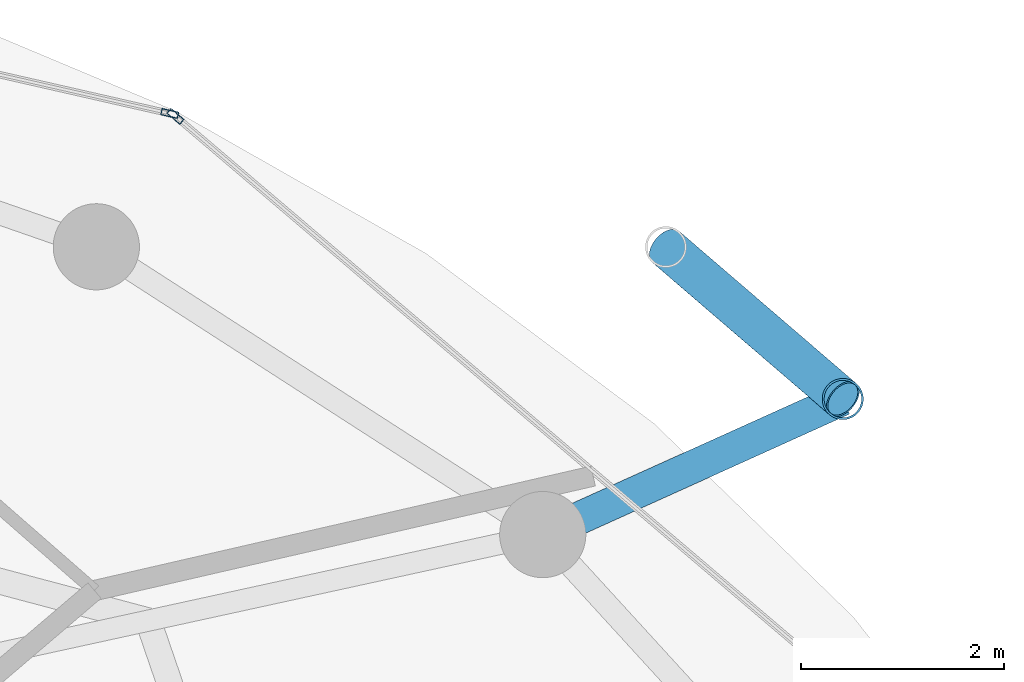
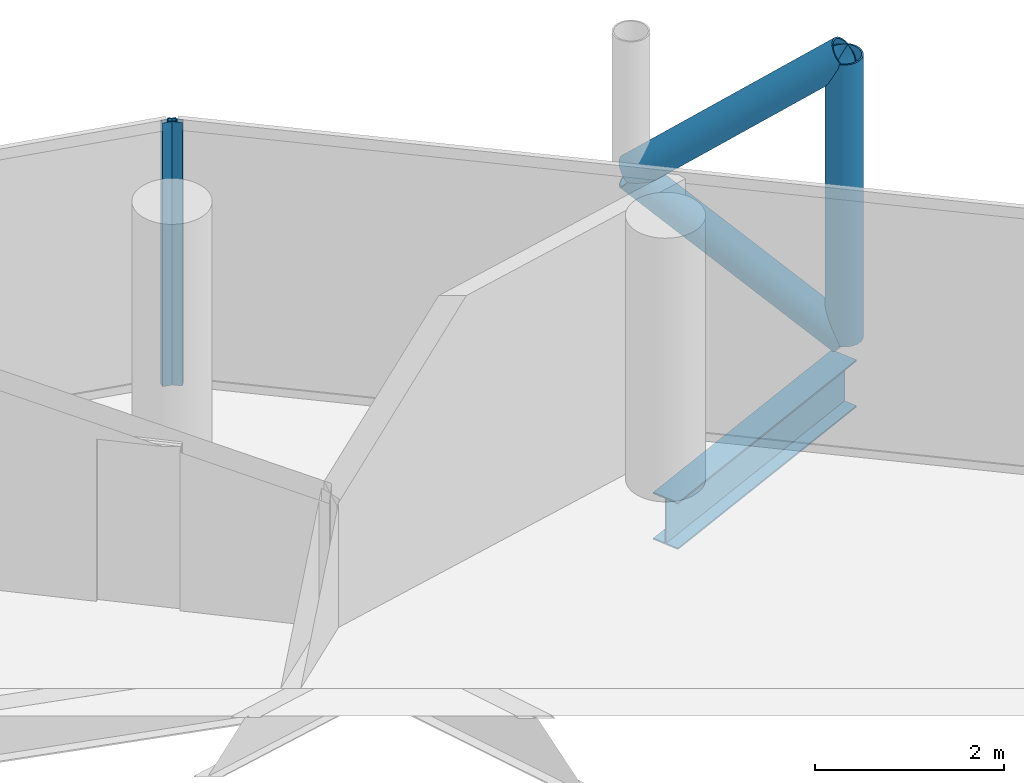
# One storey, part 21 of 27: 5 members, 1 beam, 2 elements without a shape of their own.
"""IFC4 building model written with IfcOpenShell, lengths in metres."""

import ifcopenshell
import ifcopenshell.guid

model = None  # the IFC model being written
_history = None  # IfcOwnerHistory: only IFC2X3 demands one
_inside = {}  # id of a spatial element -> (the spatial element, [elements in it])
_under = {}  # id of a project, library or spatial element -> (it, [spatial elements below it])
_declared = {}  # id of a project -> (the project, [libraries it declares])
_typed = {}  # id of a type object -> (the type object, [elements of that type])
_made_of = {}  # id of a material, layer set ... -> (it, [elements and type objects made of it])


def new_model(schema):
    """Start an empty IFC model of exactly this schema.

    Asked for "IFC4X3", IfcOpenShell would pick the latest addendum, in which some entities
    have other attributes; the version numbers below select the first issue.
    IFC2X3 requires an IfcOwnerHistory on every rooted entity: one is made here for all.
    """
    global model, _history
    if schema == "IFC4X3":
        model = ifcopenshell.file(schema_version=(4, 3, 0, 0))
    else:
        model = ifcopenshell.file(schema=schema)
    _inside.clear()
    _under.clear()
    _declared.clear()
    _typed.clear()
    _made_of.clear()
    _history = None
    if model.schema == "IFC2X3":
        org = make("IfcOrganization", Name="unknown")
        user = make(
            "IfcPersonAndOrganization",
            ThePerson=make("IfcPerson", FamilyName="unknown"),
            TheOrganization=org,
        )
        app = make(
            "IfcApplication",
            ApplicationDeveloper=org,
            Version="unknown",
            ApplicationFullName="unknown",
            ApplicationIdentifier="unknown",
        )
        _history = make(
            "IfcOwnerHistory",
            OwningUser=user,
            OwningApplication=app,
            ChangeAction="ADDED",
            CreationDate=0,
        )
    return model


def make(cls, **values):
    """One entity of the class cls with the attributes given. An attribute that is None is left unset."""
    return model.create_entity(
        cls, **{name: value for name, value in values.items() if value is not None}
    )


def rooted(cls, **values):
    """An entity with a GlobalId (a new one), such as an element, a storey or a relation."""
    return make(cls, GlobalId=ifcopenshell.guid.new(), OwnerHistory=_history, **values)


def si_unit(unit_type, name, prefix=None):
    """IfcSIUnit, for example si_unit("LENGTHUNIT", "METRE", prefix="MILLI")."""
    return make("IfcSIUnit", UnitType=unit_type, Prefix=prefix, Name=name)


def assignment(units):
    """IfcUnitAssignment: the units of a project."""
    return None if units is None else make("IfcUnitAssignment", Units=units)


def point(xyz):
    """IfcCartesianPoint."""
    return None if xyz is None else make("IfcCartesianPoint", Coordinates=xyz)


def direction(xyz):
    """IfcDirection."""
    return None if xyz is None else make("IfcDirection", DirectionRatios=xyz)


def frame(location, z_axis=None, x_axis=None):
    """IfcAxis2Placement3D, a coordinate frame: its origin and axes. An axis left out is left unset."""
    return make(
        "IfcAxis2Placement3D",
        Location=point(location),
        Axis=direction(z_axis),
        RefDirection=direction(x_axis),
    )


def frame_2d(location, x_axis=None):
    """IfcAxis2Placement2D, a coordinate frame in the plane: its origin and x axis."""
    return make(
        "IfcAxis2Placement2D", Location=point(location), RefDirection=direction(x_axis)
    )


def origin():
    """The frame at (0, 0, 0) with its axes left unset."""
    return frame((0.0, 0.0, 0.0))


def origin_2d():
    """The frame at (0, 0) in the plane with its x axis left unset."""
    return frame_2d((0.0, 0.0))


def place(relative_to, where):
    """IfcLocalPlacement: puts the frame where relative to a parent placement (None: the world)."""
    return make(
        "IfcLocalPlacement", PlacementRelTo=relative_to, RelativePlacement=where
    )


def context(
    kind, dimensions, precision=None, world=None, true_north=None, identifier=None
):
    """IfcGeometricRepresentationContext, for example the 3D "Model" context."""
    return make(
        "IfcGeometricRepresentationContext",
        ContextIdentifier=identifier,
        ContextType=kind,
        CoordinateSpaceDimension=dimensions,
        Precision=precision,
        WorldCoordinateSystem=world,
        TrueNorth=true_north,
    )


def subcontext(parent, identifier, kind, view, scale=None):
    """IfcGeometricRepresentationSubContext, for example "Body" below "Model"."""
    return make(
        "IfcGeometricRepresentationSubContext",
        ContextIdentifier=identifier,
        ContextType=kind,
        ParentContext=parent,
        TargetScale=scale,
        TargetView=view,
    )


def project(units=None, contexts=None):
    """IfcProject with its units and contexts."""
    return rooted(
        "IfcProject",
        Name="project",
        RepresentationContexts=contexts,
        UnitsInContext=assignment(units),
    )


def spatial(cls, under=None, at=None, **own):
    """A site, building, storey or space (cls), placed at a placement, below another one or the project."""
    s = rooted(cls, ObjectPlacement=at, **own)
    if under is not None:
        _under.setdefault(under.id(), (under, []))[1].append(s)
    return s


def profile(cls, at=None, kind="AREA", **sizes):
    """A parametric profile (cls). Its sizes go by their IFC names, for example OverallWidth=200.0."""
    return make(cls, ProfileType=kind, Position=at, **sizes)


def hollow_rectangle(**sizes):
    """IfcRectangleHollowProfileDef."""
    return profile("IfcRectangleHollowProfileDef", **sizes)


def hollow_circle(**sizes):
    """IfcCircleHollowProfileDef."""
    return profile("IfcCircleHollowProfileDef", **sizes)


def i_section(**sizes):
    """IfcIShapeProfileDef."""
    return profile("IfcIShapeProfileDef", **sizes)


def extrude(swept, where, along, depth):
    """IfcExtrudedAreaSolid: the profile swept, set in the frame where, extruded along a direction by depth."""
    return make(
        "IfcExtrudedAreaSolid",
        SweptArea=swept,
        Position=where,
        ExtrudedDirection=direction(along),
        Depth=depth,
    )


def shape(context_of_items, identifier, shape_type, items):
    """IfcShapeRepresentation: the items that make up one representation, for example the "Body"."""
    return make(
        "IfcShapeRepresentation",
        ContextOfItems=context_of_items,
        RepresentationIdentifier=identifier,
        RepresentationType=shape_type,
        Items=items,
    )


def material(Name=None, Category=None):
    """IfcMaterial."""
    return make("IfcMaterial", Name=Name, Category=Category)


def layer(
    of_material, thickness, ventilated=None, Name=None, Category=None, Priority=None
):
    """IfcMaterialLayer: one layer of a wall or slab, of a material (None: an air gap)."""
    return make(
        "IfcMaterialLayer",
        Material=of_material,
        LayerThickness=thickness,
        IsVentilated=ventilated,
        Name=Name,
        Category=Category,
        Priority=Priority,
    )


def layer_set(layers, Name=None):
    """IfcMaterialLayerSet."""
    return make("IfcMaterialLayerSet", MaterialLayers=layers, LayerSetName=Name)


def material_profile(
    of_material, cross_section, Name=None, Category=None, Priority=None
):
    """IfcMaterialProfile: a cross section and its material."""
    return make(
        "IfcMaterialProfile",
        Name=Name,
        Material=of_material,
        Profile=cross_section,
        Priority=Priority,
        Category=Category,
    )


def profile_set(profiles, Name=None, composite=None):
    """IfcMaterialProfileSet."""
    return make(
        "IfcMaterialProfileSet",
        Name=Name,
        MaterialProfiles=profiles,
        CompositeProfile=composite,
    )


def made_of(thing, what):
    """Note that an element or type object is made of a material, layer set ...; save() writes the relation."""
    if what is not None:
        _made_of.setdefault(what.id(), (what, []))[1].append(thing)
    return thing


def type_object(cls, material=None, **own):
    """A type object (cls), such as IfcWallType, which elements share."""
    return made_of(rooted(cls, **own), material)


def element(
    cls,
    number,
    at=None,
    inside=None,
    cuts=None,
    type_object=None,
    material=None,
    context=None,
    identifier="Body",
    shape_type=None,
    held_by="IfcProductDefinitionShape",
    body=None,
    shapes=None,
    **own,
):
    """One element of the class cls, such as IfcWall. Its Tag is "e" and its number.

    at: its placement. inside: the storey or other place that contains it. cuts: it is an
    opening in that element (IfcRelVoidsElement). A single representation is given by context,
    identifier, shape_type and body (its items); several are given by shapes. held_by: the class
    of the entity that holds the representations. save() writes the other relations.
    """
    e = rooted(cls, Tag="e%d" % number, ObjectPlacement=at, **own)
    if body is not None:
        shapes = [shape(context, identifier, shape_type, body)]
    if shapes is not None:
        e.Representation = make(held_by, Representations=shapes)
    if inside is not None:
        _inside.setdefault(inside.id(), (inside, []))[1].append(e)
    if cuts is not None:
        rooted(
            "IfcRelVoidsElement", RelatingBuildingElement=cuts, RelatedOpeningElement=e
        )
    if type_object is not None:
        _typed.setdefault(type_object.id(), (type_object, []))[1].append(e)
    return made_of(e, material)


def aggregate(whole, parts):
    """IfcRelAggregates: a whole, such as a stair, and the parts it consists of."""
    return rooted("IfcRelAggregates", RelatingObject=whole, RelatedObjects=parts)


def save(model, path):
    """Write the relations noted so far, then the file.

    IfcRelAggregates (storeys below a building ...), IfcRelContainedInSpatialStructure (elements
    in a storey), IfcRelDefinesByType, IfcRelAssociatesMaterial and IfcRelDeclares: one each for
    every whole, place, type object, material and project.
    """
    for whole, parts in _under.values():
        aggregate(whole, parts)
    for where, things in _inside.values():
        rooted(
            "IfcRelContainedInSpatialStructure",
            RelatedElements=things,
            RelatingStructure=where,
        )
    for kind, things in _typed.values():
        rooted("IfcRelDefinesByType", RelatedObjects=things, RelatingType=kind)
    for what, things in _made_of.values():
        rooted("IfcRelAssociatesMaterial", RelatedObjects=things, RelatingMaterial=what)
    for by, libraries in _declared.values():
        rooted("IfcRelDeclares", RelatingContext=by, RelatedDefinitions=libraries)
    model.write(path)


model = new_model("IFC4")

# Units and contexts
model_context = context("Model", 3, precision=1e-05, world=origin(), true_north=direction((0.0, 1.0)))
body_context = subcontext(model_context, "Body", "Model", "MODEL_VIEW")
ifc_project = project(units=[si_unit("LENGTHUNIT", "METRE"), si_unit("AREAUNIT", "SQUARE_METRE"), si_unit("VOLUMEUNIT", "CUBIC_METRE"), si_unit("PLANEANGLEUNIT", "RADIAN"), si_unit("MASSUNIT", "GRAM", prefix="KILO")], contexts=[model_context])

# Site, building, storey
site_placement = place(None, origin())
site = spatial("IfcSite", under=ifc_project, at=site_placement, CompositionType="ELEMENT")
building_placement = place(site_placement, origin())
building = spatial("IfcBuilding", under=site, at=building_placement, Name="Nuhasar Tower", CompositionType="ELEMENT")
storey_placement = place(building_placement, frame((0.0, 0.0, 215.449951171875)))
storey = spatial("IfcBuildingStorey", under=building, at=storey_placement, Name="L52", CompositionType="ELEMENT", Elevation=215.449951171875)

# Beam
ifc_material_1 = material(Name="Steel S355", Category="steel")
ifc_material_profile_1 = material_profile(ifc_material_1, i_section(OverallWidth=0.323974609375, OverallDepth=0.611083984375, WebThickness=0.0126953125, FlangeThickness=0.01904296875, at=origin_2d()), Name="W24X104")
ifc_profile_set_1 = profile_set([ifc_material_profile_1], Name="Steel S355")
beam_type = type_object("IfcBeamType", Name="BM-TIE-W24X104", PredefinedType="BEAM", material=ifc_profile_set_1)
beam_placement = place(storey_placement, frame((54.02587890625, 39.422119140625, -0.544921875), z_axis=(0.911363318082, 0.411602845538, 0.0), x_axis=(-0.411602845538, 0.911363318082, 0.0)))
element("IfcBeam", 1, at=beam_placement, inside=storey, type_object=beam_type, Name="L52 Exoskeleton Node Tie Beam 02", PredefinedType="BEAM", context=body_context, shape_type="SweptSolid", body=[
    extrude(i_section(OverallWidth=0.323974609375, OverallDepth=0.611083984375, WebThickness=0.0126953125, FlangeThickness=0.01904296875, at=origin_2d()), origin(), (0.0, 0.0, 1.0), 3.24560546875),
])

# Curtain wall, member
ifc_material_2 = material(Name="Aluminium 6063-T6", Category="aluminium")
ifc_layer = layer(ifc_material_2, 0.18994140625)
ifc_layer_set = layer_set([ifc_layer], Name="Aluminium 6063-T6")
curtain_wall_type = type_object("IfcCurtainWallType", Name="CW-Z3-RES", PredefinedType="NOTDEFINED", material=ifc_layer_set)
curtain_wall_1_placement = place(storey_placement, origin())
curtain_wall_1 = element("IfcCurtainWall", 2, at=curtain_wall_1_placement, inside=storey, type_object=curtain_wall_type, Name="L52 Unitised Curtain Wall 02", PredefinedType="NOTDEFINED")
ifc_material_profile_2 = material_profile(ifc_material_2, hollow_rectangle(XDim=0.06494140625, YDim=0.169921875, WallThickness=0.0048828125, at=origin_2d()), Name="CWM-4")
ifc_profile_set_2 = profile_set([ifc_material_profile_2], Name="Aluminium 6063-T6")
member_type_1 = type_object("IfcMemberType", Name="CW-MUL-S4", PredefinedType="MULLION", material=ifc_profile_set_2)
member_1_placement = place(storey_placement, frame((50.40478515625, 43.544921875, 0.0), z_axis=(0.0, 0.0, 1.0), x_axis=(-0.64789521578, -0.761729472562, 0.0)))
member_1 = element("IfcMember", 3, at=member_1_placement, type_object=member_type_1, Name="CW-Z3 mullion 2", PredefinedType="MULLION", context=body_context, shape_type="SweptSolid", body=[
    extrude(hollow_rectangle(XDim=0.06494140625, YDim=0.169921875, WallThickness=0.0048828125, at=origin_2d()), origin(), (0.0, 0.0, 1.0), 3.41015625),
])
aggregate(curtain_wall_1, [member_1])

curtain_wall_2_placement = place(storey_placement, origin())
curtain_wall_2 = element("IfcCurtainWall", 4, at=curtain_wall_2_placement, inside=storey, type_object=curtain_wall_type, Name="L52 Unitised Curtain Wall 03", PredefinedType="NOTDEFINED")
member_2_placement = place(storey_placement, frame((50.348388671875, 43.5732421875, 0.0), z_axis=(0.0, 0.0, 1.0), x_axis=(-0.222243176313, -0.974991266926, 0.0)))
member_2 = element("IfcMember", 5, at=member_2_placement, type_object=member_type_1, Name="CW-Z3 mullion 1", PredefinedType="MULLION", context=body_context, shape_type="SweptSolid", body=[
    extrude(hollow_rectangle(XDim=0.06494140625, YDim=0.169921875, WallThickness=0.0048828125, at=origin_2d()), origin(), (0.0, 0.0, 1.0), 3.41015625),
])
aggregate(curtain_wall_2, [member_2])

# Members
ifc_material_3 = material(Name="Steel S460", Category="steel")
ifc_material_profile_3 = material_profile(ifc_material_3, hollow_circle(Radius=0.203125, WallThickness=0.01904296875, at=origin_2d()), Name="HSS406.4X19.1")
ifc_profile_set_3 = profile_set([ifc_material_profile_3], Name="Steel S460")
member_type_2 = type_object("IfcMemberType", Name="EXO-BRONZE-406", PredefinedType="BRACE", material=ifc_profile_set_3)
member_3_placement = place(storey_placement, frame((56.98388671875, 40.758056640625, 0.0), z_axis=(0.0, 0.0, 1.0), x_axis=(1.0, 0.0, 0.0)))
element("IfcMember", 6, at=member_3_placement, inside=storey, type_object=member_type_2, Name="L52 Exoskeleton Chord Column EC-02A", PredefinedType="BRACE", context=body_context, shape_type="SweptSolid", body=[
    extrude(hollow_circle(Radius=0.203125, WallThickness=0.01904296875, at=origin_2d()), origin(), (0.0, 0.0, 1.0), 3.650146484375),
])
for number, where, z_axis, x_axis, name in (
    (7, (56.98388671875, 40.758056640625, 0.0), (-0.594018535389, 0.510608120858, 0.621627964725), (-0.65185738425, -0.758341579104, 0.0), "L52 Bronze Diagrid Brace W1-02"),
    (8, (55.239990234375, 42.257080078125, 1.824951171875), (0.593987827832, -0.51058172517, 0.621678986543), (0.65185738425, 0.758341579104, 0.0), "L52 Bronze Diagrid Brace W2-02"),
):
    element("IfcMember", number, at=place(storey_placement, frame(where, z_axis=z_axis, x_axis=x_axis)), inside=storey, type_object=member_type_2, Name=name, PredefinedType="BRACE", context=body_context, shape_type="SweptSolid", body=[
        extrude(hollow_circle(Radius=0.203125, WallThickness=0.01904296875, at=origin_2d()), origin(), (0.0, 0.0, 1.0), 2.935791015625),
    ])

save(model, "model.ifc")
